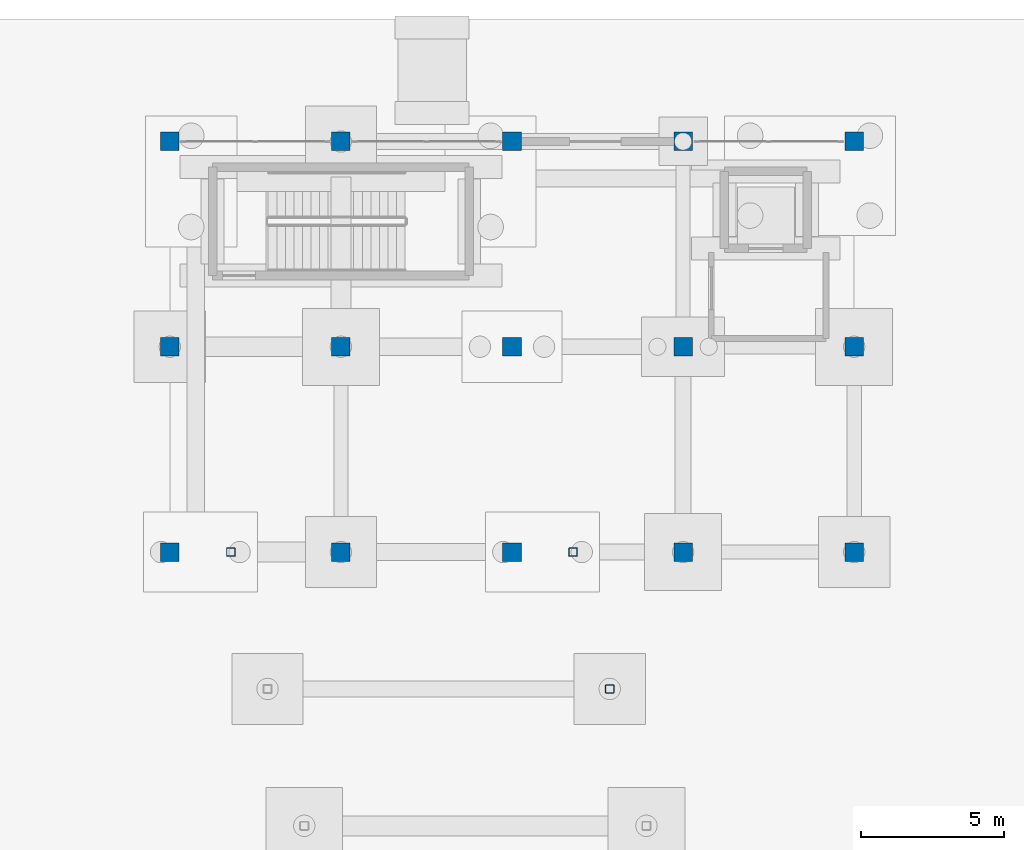
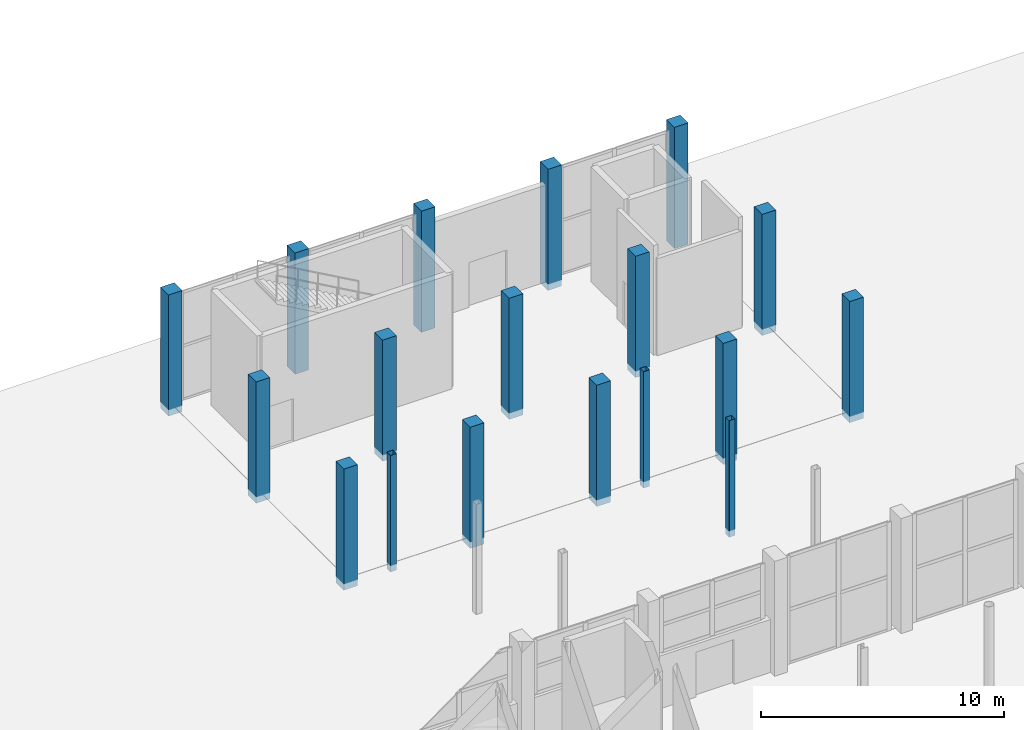
# One storey, part 27 of 103: 18 columns.
"""IFC4 building model written with IfcOpenShell, lengths in metres."""

from ifc_helpers import new_model, si_unit, direction, frame, origin, origin_2d, place, context, subcontext, project, spatial, rectangle, hollow_rectangle, extrude, material, material_profile, profile_set, type_object, element, save


model = new_model("IFC4")

# Units and contexts
model_context = context("Model", 3, precision=1e-05, world=origin(), true_north=direction((0.0, 1.0)))
body_context = subcontext(model_context, "Body", "Model", "MODEL_VIEW")
ifc_project = project(units=[si_unit("LENGTHUNIT", "METRE"), si_unit("AREAUNIT", "SQUARE_METRE"), si_unit("VOLUMEUNIT", "CUBIC_METRE"), si_unit("PLANEANGLEUNIT", "RADIAN"), si_unit("MASSUNIT", "GRAM", prefix="KILO")], contexts=[model_context])

# Site, building, storey
site_placement = place(None, origin())
site = spatial("IfcSite", under=ifc_project, at=site_placement, CompositionType="ELEMENT")
building_placement = place(site_placement, origin())
building = spatial("IfcBuilding", under=site, at=building_placement, Name="Dunvalen Ferry Terminal", CompositionType="ELEMENT")
storey_placement = place(building_placement, origin())
storey = spatial("IfcBuildingStorey", under=building, at=storey_placement, Name="L00", CompositionType="ELEMENT", Elevation=0.0)

# Columns
ifc_material_1 = material(Name="Concrete C40/50", Category="concrete")
ifc_material_profile_1 = material_profile(ifc_material_1, rectangle(XDim=0.64990234375, YDim=0.64990234375, at=origin_2d()), Name="Concrete C40/50")
ifc_profile_set_1 = profile_set([ifc_material_profile_1], Name="Concrete C40/50")
column_type_1 = type_object("IfcColumnType", Name="STR-COL-RC650", PredefinedType="COLUMN", material=ifc_profile_set_1)
for number, where, z_axis, x_axis, name in (
    (1, (24.0, 100.800048828125, -0.320068359375), (0.0, 0.0, 1.0), (1.0, 0.0, 0.0), "L00 Berth Pavilion 1 Column 01"),
    (2, (24.0, 108.0, -0.320068359375), (0.0, 0.0, 1.0), (1.0, 0.0, 0.0), "L00 Berth Pavilion 1 Column 02"),
    (3, (24.0, 115.199951171875, -0.320068359375), (0.0, 0.0, 1.0), (1.0, 0.0, 0.0), "L00 Berth Pavilion 1 Column 03"),
    (4, (30.0, 100.800048828125, -0.320068359375), (0.0, 0.0, 1.0), (1.0, 0.0, 0.0), "L00 Berth Pavilion 1 Column 04"),
    (5, (30.0, 108.0, -0.320068359375), (0.0, 0.0, 1.0), (1.0, 0.0, 0.0), "L00 Berth Pavilion 1 Column 05"),
    (6, (30.0, 115.199951171875, -0.320068359375), (0.0, 0.0, 1.0), (1.0, 0.0, 0.0), "L00 Berth Pavilion 1 Column 06"),
    (7, (36.0, 100.800048828125, -0.320068359375), (0.0, 0.0, 1.0), (1.0, 0.0, 0.0), "L00 Berth Pavilion 1 Column 07"),
    (8, (36.0, 108.0, -0.320068359375), (0.0, 0.0, 1.0), (1.0, 0.0, 0.0), "L00 Berth Pavilion 1 Column 08"),
    (9, (36.0, 115.199951171875, -0.320068359375), (0.0, 0.0, 1.0), (1.0, 0.0, 0.0), "L00 Berth Pavilion 1 Column 09"),
    (10, (42.0, 100.800048828125, -0.320068359375), (0.0, 0.0, 1.0), (1.0, 0.0, 0.0), "L00 Berth Pavilion 1 Column 10"),
    (11, (42.0, 108.0, -0.320068359375), (0.0, 0.0, 1.0), (1.0, 0.0, 0.0), "L00 Berth Pavilion 1 Column 11"),
    (12, (42.0, 115.199951171875, -0.320068359375), (0.0, 0.0, 1.0), (1.0, 0.0, 0.0), "L00 Berth Pavilion 1 Column 12"),
    (13, (48.0, 100.800048828125, -0.320068359375), (0.0, 0.0, 1.0), (1.0, 0.0, 0.0), "L00 Berth Pavilion 1 Column 13"),
    (14, (48.0, 108.0, -0.320068359375), (0.0, 0.0, 1.0), (1.0, 0.0, 0.0), "L00 Berth Pavilion 1 Column 14"),
    (15, (48.0, 115.199951171875, -0.320068359375), (0.0, 0.0, 1.0), (1.0, 0.0, 0.0), "L00 Berth Pavilion 1 Column 15"),
):
    element("IfcColumn", number, at=place(storey_placement, frame(where, z_axis=z_axis, x_axis=x_axis)), inside=storey, type_object=column_type_1, Name=name, PredefinedType="COLUMN", context=body_context, shape_type="SweptSolid", body=[
        extrude(rectangle(XDim=0.64990234375, YDim=0.64990234375, at=origin_2d()), origin(), (0.0, 0.0, 1.0), 6.080078125),
    ])
ifc_material_2 = material(Name="Steel S355", Category="steel")
ifc_material_profile_2 = material_profile(ifc_material_2, hollow_rectangle(XDim=0.300048828125, YDim=0.300048828125, WallThickness=0.012451171875, InnerFilletRadius=0.012451171875, OuterFilletRadius=0.02490234375, at=origin_2d()), Name="Steel S355")
ifc_profile_set_2 = profile_set([ifc_material_profile_2], Name="Steel S355")
column_type_2 = type_object("IfcColumnType", Name="STR-COL-SHS300", PredefinedType="COLUMN", material=ifc_profile_set_2)
for number, where, z_axis, x_axis, name in (
    (16, (26.1416015625, 100.800048828125, -0.320068359375), (0.0, 0.0, 1.0), (1.0, 0.0, 0.0), "L00 Boarding Bridge 1 Marine Pier 1.6"),
    (17, (39.427734375, 96.0, -0.320068359375), (0.0, 0.0, 1.0), (1.0, 0.0, 0.0), "L00 Boarding Bridge 1 Marine Pier 2.4"),
    (18, (38.1416015625, 100.800048828125, -0.320068359375), (0.0, 0.0, 1.0), (1.0, 0.0, 0.0), "L00 Boarding Bridge 1 Marine Pier 2.6"),
):
    element("IfcColumn", number, at=place(storey_placement, frame(where, z_axis=z_axis, x_axis=x_axis)), inside=storey, type_object=column_type_2, Name=name, PredefinedType="COLUMN", context=body_context, shape_type="SweptSolid", body=[
        extrude(hollow_rectangle(XDim=0.300048828125, YDim=0.300048828125, WallThickness=0.012451171875, InnerFilletRadius=0.012451171875, OuterFilletRadius=0.02490234375, at=origin_2d()), origin(), (0.0, 0.0, 1.0), 5.840087890625),
    ])

save(model, "model.ifc")
